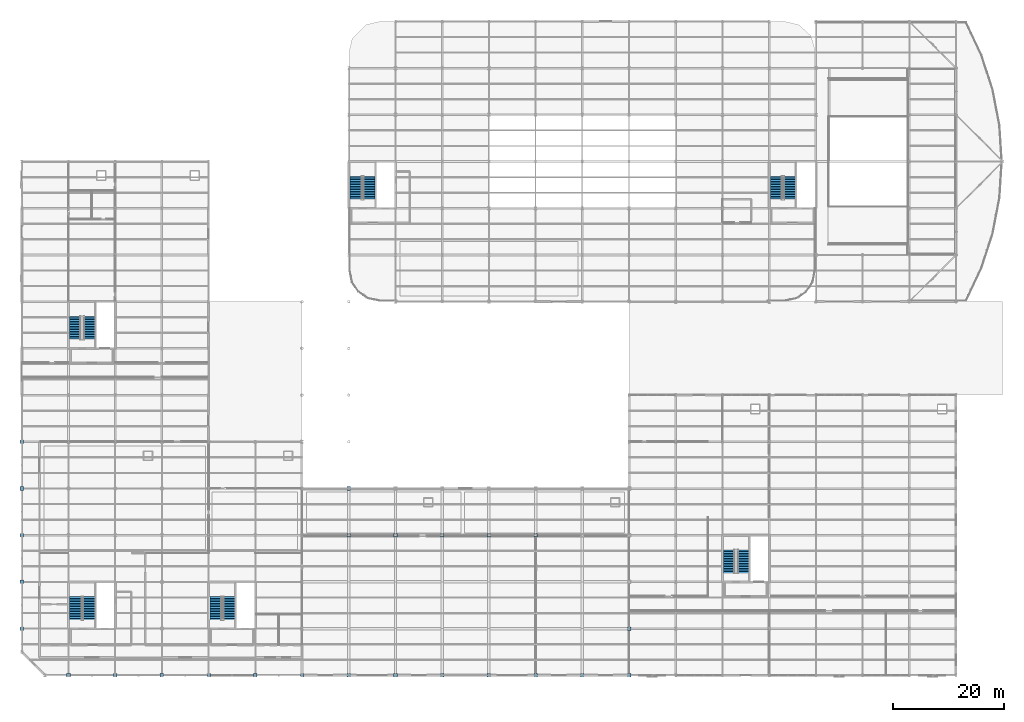
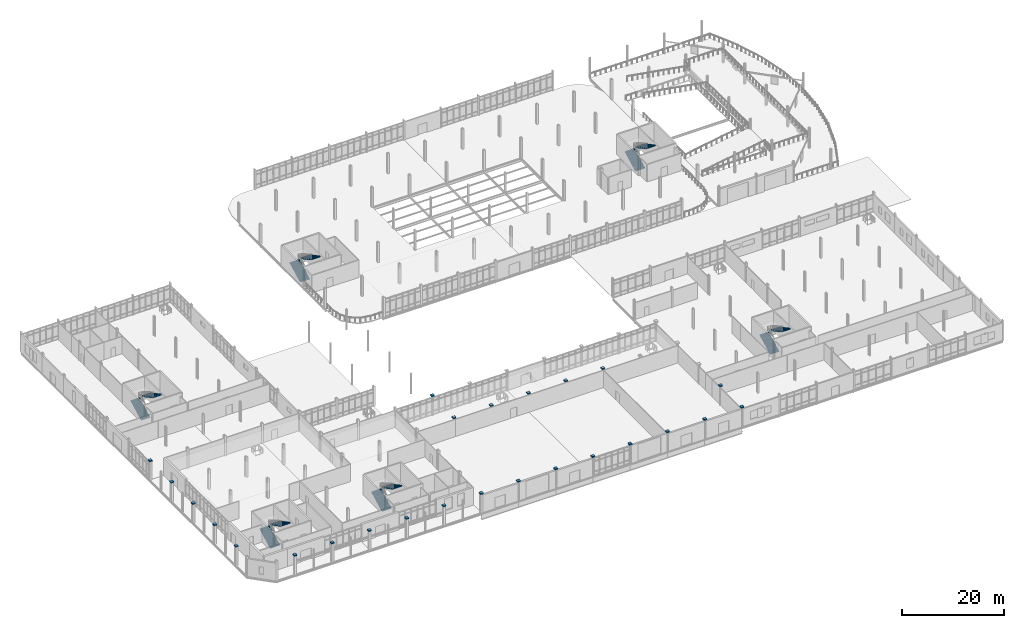
# One storey, part 131 of 145: 25 discrete accessories, 12 stair flights, 6 elements without a shape of their own.
"""IFC4 building model written with IfcOpenShell, lengths in metres."""

from ifc_helpers import new_model, si_unit, direction, frame, origin, origin_2d, place, context, subcontext, project, spatial, polyline, rectangle, outline, extrude, material, type_object, element, aggregate, save


model = new_model("IFC4")

# Units and contexts
model_context = context("Model", 3, precision=1e-05, world=origin(), true_north=direction((0.0, 1.0)))
body_context = subcontext(model_context, "Body", "Model", "MODEL_VIEW")
ifc_project = project(units=[si_unit("LENGTHUNIT", "METRE"), si_unit("AREAUNIT", "SQUARE_METRE"), si_unit("VOLUMEUNIT", "CUBIC_METRE"), si_unit("PLANEANGLEUNIT", "RADIAN"), si_unit("MASSUNIT", "GRAM", prefix="KILO")], contexts=[model_context])

# Site, building, storey
site_placement = place(None, origin())
site = spatial("IfcSite", under=ifc_project, at=site_placement, CompositionType="ELEMENT")
building_placement = place(site_placement, origin())
building = spatial("IfcBuilding", under=site, at=building_placement, Name="Qalvenar Corner Mobility Hub", CompositionType="ELEMENT")
storey_placement = place(building_placement, origin())
storey = spatial("IfcBuildingStorey", under=building, at=storey_placement, Name="L00", CompositionType="ELEMENT", Elevation=0.0)

# Stair, stair flights
ifc_material_1 = material(Name="Concrete C35/45", Category="concrete")
stair_type_1 = type_object("IfcStairType", Name="STR-200-H48", PredefinedType="TWO_QUARTER_TURN_STAIR", material=ifc_material_1)
stair_1_placement = place(storey_placement, origin())
stair_1 = element("IfcStair", 1, at=stair_1_placement, inside=storey, type_object=stair_type_1, Name="Exit Stair ST2 L00-L01", PredefinedType="TWO_QUARTER_TURN_STAIR")
stair_flight_type_1 = type_object("IfcStairFlightType", Name="SFL-200-R15", PredefinedType="STRAIGHT", material=ifc_material_1)
stair_flight_1_placement = place(storey_placement, frame((34.89501953125, 9.949951171875, 0.0), z_axis=(0.0, 0.0, 1.0), x_axis=(0.0, 1.0, 0.0)))
stair_flight_1 = element("IfcStairFlight", 2, at=stair_flight_1_placement, type_object=stair_flight_type_1, Name="ST2 flight 1", NumberOfRisers=15, NumberOfTreads=14, PredefinedType="STRAIGHT", RiserHeight=0.16, TreadLength=0.3, context=body_context, shape_type="SweptSolid", body=[
    extrude(outline(polyline([(0.0, 0.0), (0.0, 0.159912109375), (0.300048828125, 0.159912109375), (0.300048828125, 0.320068359375), (0.60009765625, 0.320068359375), (0.60009765625, 0.47998046875), (0.89990234375, 0.47998046875), (0.89990234375, 0.639892578125), (1.199951171875, 0.639892578125), (1.199951171875, 0.800048828125), (1.5, 0.800048828125), (1.5, 0.9599609375), (1.800048828125, 0.9599609375), (1.800048828125, 1.1201171875), (2.10009765625, 1.1201171875), (2.10009765625, 1.280029296875), (2.39990234375, 1.280029296875), (2.39990234375, 1.43994140625), (2.699951171875, 1.43994140625), (2.699951171875, 1.60009765625), (3.0, 1.60009765625), (3.0, 1.760009765625), (3.300048828125, 1.760009765625), (3.300048828125, 1.919921875), (3.60009765625, 1.919921875), (3.60009765625, 2.080078125), (3.89990234375, 2.080078125), (3.89990234375, 2.239990234375), (4.199951171875, 2.239990234375), (4.199951171875, 2.39990234375), (4.199951171875, 2.0361328125), (0.38232421875, 0.0), (0.0, 0.0)])), frame((0.0, 1.074951171875, 0.0), z_axis=(0.0, -1.0, 0.0), x_axis=(1.0, 0.0, 0.0)), (0.0, 0.0, 1.0), 2.14990234375),
])
stair_flight_2_placement = place(storey_placement, frame((37.284912109375, 14.14990234375, 2.39990234375), z_axis=(0.0, 0.0, 1.0), x_axis=(0.0, -1.0, 0.0)))
stair_flight_2 = element("IfcStairFlight", 3, at=stair_flight_2_placement, type_object=stair_flight_type_1, Name="ST2 flight 2", NumberOfRisers=15, NumberOfTreads=14, PredefinedType="STRAIGHT", RiserHeight=0.16, TreadLength=0.3, context=body_context, shape_type="SweptSolid", body=[
    extrude(outline(polyline([(0.0, 0.0), (0.0, 0.159912109375), (0.300048828125, 0.159912109375), (0.300048828125, 0.320068359375), (0.60009765625, 0.320068359375), (0.60009765625, 0.47998046875), (0.89990234375, 0.47998046875), (0.89990234375, 0.639892578125), (1.199951171875, 0.639892578125), (1.199951171875, 0.800048828125), (1.5, 0.800048828125), (1.5, 0.9599609375), (1.800048828125, 0.9599609375), (1.800048828125, 1.1201171875), (2.10009765625, 1.1201171875), (2.10009765625, 1.280029296875), (2.39990234375, 1.280029296875), (2.39990234375, 1.43994140625), (2.699951171875, 1.43994140625), (2.699951171875, 1.60009765625), (3.0, 1.60009765625), (3.0, 1.760009765625), (3.300048828125, 1.760009765625), (3.300048828125, 1.919921875), (3.60009765625, 1.919921875), (3.60009765625, 2.080078125), (3.89990234375, 2.080078125), (3.89990234375, 2.239990234375), (4.199951171875, 2.239990234375), (4.199951171875, 2.39990234375), (4.199951171875, 2.0361328125), (0.38232421875, 0.0), (0.0, 0.0)])), frame((0.0, 1.074951171875, 0.0), z_axis=(0.0, -1.0, 0.0), x_axis=(1.0, 0.0, 0.0)), (0.0, 0.0, 1.0), 2.14990234375),
])
aggregate(stair_1, [stair_flight_1, stair_flight_2])

stair_2_placement = place(storey_placement, origin())
stair_2 = element("IfcStair", 4, at=stair_2_placement, inside=storey, type_object=stair_type_1, Name="Exit Stair ST3 L00-L01", PredefinedType="TWO_QUARTER_TURN_STAIR")
stair_flight_3_placement = place(storey_placement, frame((60.094970703125, 85.550048828125, 0.0), z_axis=(0.0, 0.0, 1.0), x_axis=(0.0, 1.0, 0.0)))
stair_flight_3 = element("IfcStairFlight", 5, at=stair_flight_3_placement, type_object=stair_flight_type_1, Name="ST3 flight 1", NumberOfRisers=15, NumberOfTreads=14, PredefinedType="STRAIGHT", RiserHeight=0.16, TreadLength=0.3, context=body_context, shape_type="SweptSolid", body=[
    extrude(outline(polyline([(0.0, 0.0), (0.0, 0.159912109375), (0.300048828125, 0.159912109375), (0.300048828125, 0.320068359375), (0.60009765625, 0.320068359375), (0.60009765625, 0.47998046875), (0.89990234375, 0.47998046875), (0.89990234375, 0.639892578125), (1.199951171875, 0.639892578125), (1.199951171875, 0.800048828125), (1.5, 0.800048828125), (1.5, 0.9599609375), (1.800048828125, 0.9599609375), (1.800048828125, 1.1201171875), (2.10009765625, 1.1201171875), (2.10009765625, 1.280029296875), (2.39990234375, 1.280029296875), (2.39990234375, 1.43994140625), (2.699951171875, 1.43994140625), (2.699951171875, 1.60009765625), (3.0, 1.60009765625), (3.0, 1.760009765625), (3.300048828125, 1.760009765625), (3.300048828125, 1.919921875), (3.60009765625, 1.919921875), (3.60009765625, 2.080078125), (3.89990234375, 2.080078125), (3.89990234375, 2.239990234375), (4.199951171875, 2.239990234375), (4.199951171875, 2.39990234375), (4.199951171875, 2.0361328125), (0.38232421875, 0.0), (0.0, 0.0)])), frame((0.0, 1.074951171875, 0.0), z_axis=(0.0, -1.0, 0.0), x_axis=(1.0, 0.0, 0.0)), (0.0, 0.0, 1.0), 2.14990234375),
])
stair_flight_4_placement = place(storey_placement, frame((62.485107421875, 89.75, 2.39990234375), z_axis=(0.0, 0.0, 1.0), x_axis=(0.0, -1.0, 0.0)))
stair_flight_4 = element("IfcStairFlight", 6, at=stair_flight_4_placement, type_object=stair_flight_type_1, Name="ST3 flight 2", NumberOfRisers=15, NumberOfTreads=14, PredefinedType="STRAIGHT", RiserHeight=0.16, TreadLength=0.3, context=body_context, shape_type="SweptSolid", body=[
    extrude(outline(polyline([(0.0, 0.0), (0.0, 0.159912109375), (0.300048828125, 0.159912109375), (0.300048828125, 0.320068359375), (0.60009765625, 0.320068359375), (0.60009765625, 0.47998046875), (0.89990234375, 0.47998046875), (0.89990234375, 0.639892578125), (1.199951171875, 0.639892578125), (1.199951171875, 0.800048828125), (1.5, 0.800048828125), (1.5, 0.9599609375), (1.800048828125, 0.9599609375), (1.800048828125, 1.1201171875), (2.10009765625, 1.1201171875), (2.10009765625, 1.280029296875), (2.39990234375, 1.280029296875), (2.39990234375, 1.43994140625), (2.699951171875, 1.43994140625), (2.699951171875, 1.60009765625), (3.0, 1.60009765625), (3.0, 1.760009765625), (3.300048828125, 1.760009765625), (3.300048828125, 1.919921875), (3.60009765625, 1.919921875), (3.60009765625, 2.080078125), (3.89990234375, 2.080078125), (3.89990234375, 2.239990234375), (4.199951171875, 2.239990234375), (4.199951171875, 2.39990234375), (4.199951171875, 2.0361328125), (0.38232421875, 0.0), (0.0, 0.0)])), frame((0.0, 1.074951171875, 0.0), z_axis=(0.0, -1.0, 0.0), x_axis=(1.0, 0.0, 0.0)), (0.0, 0.0, 1.0), 2.14990234375),
])
aggregate(stair_2, [stair_flight_3, stair_flight_4])

stair_3_placement = place(storey_placement, origin())
stair_3 = element("IfcStair", 7, at=stair_3_placement, inside=storey, type_object=stair_type_1, Name="Exit Stair ST4 L00-L01", PredefinedType="TWO_QUARTER_TURN_STAIR")
stair_flight_5_placement = place(storey_placement, frame((135.695068359375, 85.550048828125, 0.0), z_axis=(0.0, 0.0, 1.0), x_axis=(0.0, 1.0, 0.0)))
stair_flight_5 = element("IfcStairFlight", 8, at=stair_flight_5_placement, type_object=stair_flight_type_1, Name="ST4 flight 1", NumberOfRisers=15, NumberOfTreads=14, PredefinedType="STRAIGHT", RiserHeight=0.16, TreadLength=0.3, context=body_context, shape_type="SweptSolid", body=[
    extrude(outline(polyline([(0.0, 0.0), (0.0, 0.159912109375), (0.300048828125, 0.159912109375), (0.300048828125, 0.320068359375), (0.60009765625, 0.320068359375), (0.60009765625, 0.47998046875), (0.89990234375, 0.47998046875), (0.89990234375, 0.639892578125), (1.199951171875, 0.639892578125), (1.199951171875, 0.800048828125), (1.5, 0.800048828125), (1.5, 0.9599609375), (1.800048828125, 0.9599609375), (1.800048828125, 1.1201171875), (2.10009765625, 1.1201171875), (2.10009765625, 1.280029296875), (2.39990234375, 1.280029296875), (2.39990234375, 1.43994140625), (2.699951171875, 1.43994140625), (2.699951171875, 1.60009765625), (3.0, 1.60009765625), (3.0, 1.760009765625), (3.300048828125, 1.760009765625), (3.300048828125, 1.919921875), (3.60009765625, 1.919921875), (3.60009765625, 2.080078125), (3.89990234375, 2.080078125), (3.89990234375, 2.239990234375), (4.199951171875, 2.239990234375), (4.199951171875, 2.39990234375), (4.199951171875, 2.0361328125), (0.38232421875, 0.0), (0.0, 0.0)])), frame((0.0, 1.074951171875, 0.0), z_axis=(0.0, -1.0, 0.0), x_axis=(1.0, 0.0, 0.0)), (0.0, 0.0, 1.0), 2.14990234375),
])
stair_flight_6_placement = place(storey_placement, frame((138.0849609375, 89.75, 2.39990234375), z_axis=(0.0, 0.0, 1.0), x_axis=(0.0, -1.0, 0.0)))
stair_flight_6 = element("IfcStairFlight", 9, at=stair_flight_6_placement, type_object=stair_flight_type_1, Name="ST4 flight 2", NumberOfRisers=15, NumberOfTreads=14, PredefinedType="STRAIGHT", RiserHeight=0.16, TreadLength=0.3, context=body_context, shape_type="SweptSolid", body=[
    extrude(outline(polyline([(0.0, 0.0), (0.0, 0.159912109375), (0.300048828125, 0.159912109375), (0.300048828125, 0.320068359375), (0.60009765625, 0.320068359375), (0.60009765625, 0.47998046875), (0.89990234375, 0.47998046875), (0.89990234375, 0.639892578125), (1.199951171875, 0.639892578125), (1.199951171875, 0.800048828125), (1.5, 0.800048828125), (1.5, 0.9599609375), (1.800048828125, 0.9599609375), (1.800048828125, 1.1201171875), (2.10009765625, 1.1201171875), (2.10009765625, 1.280029296875), (2.39990234375, 1.280029296875), (2.39990234375, 1.43994140625), (2.699951171875, 1.43994140625), (2.699951171875, 1.60009765625), (3.0, 1.60009765625), (3.0, 1.760009765625), (3.300048828125, 1.760009765625), (3.300048828125, 1.919921875), (3.60009765625, 1.919921875), (3.60009765625, 2.080078125), (3.89990234375, 2.080078125), (3.89990234375, 2.239990234375), (4.199951171875, 2.239990234375), (4.199951171875, 2.39990234375), (4.199951171875, 2.0361328125), (0.38232421875, 0.0), (0.0, 0.0)])), frame((0.0, 1.074951171875, 0.0), z_axis=(0.0, -1.0, 0.0), x_axis=(1.0, 0.0, 0.0)), (0.0, 0.0, 1.0), 2.14990234375),
])
aggregate(stair_3, [stair_flight_5, stair_flight_6])

stair_4_placement = place(storey_placement, origin())
stair_4 = element("IfcStair", 10, at=stair_4_placement, inside=storey, type_object=stair_type_1, Name="Exit Stair ST5 L00-L01", PredefinedType="TWO_QUARTER_TURN_STAIR")
stair_flight_7_placement = place(storey_placement, frame((9.6201171875, 60.35009765625, 0.0), z_axis=(0.0, 0.0, 1.0), x_axis=(0.0, 1.0, 0.0)))
stair_flight_7 = element("IfcStairFlight", 11, at=stair_flight_7_placement, type_object=stair_flight_type_1, Name="ST5 flight 1", NumberOfRisers=15, NumberOfTreads=14, PredefinedType="STRAIGHT", RiserHeight=0.16, TreadLength=0.3, context=body_context, shape_type="SweptSolid", body=[
    extrude(outline(polyline([(0.0, 0.0), (0.0, 0.159912109375), (0.300048828125, 0.159912109375), (0.300048828125, 0.320068359375), (0.60009765625, 0.320068359375), (0.60009765625, 0.47998046875), (0.89990234375, 0.47998046875), (0.89990234375, 0.639892578125), (1.199951171875, 0.639892578125), (1.199951171875, 0.800048828125), (1.5, 0.800048828125), (1.5, 0.9599609375), (1.800048828125, 0.9599609375), (1.800048828125, 1.1201171875), (2.10009765625, 1.1201171875), (2.10009765625, 1.280029296875), (2.39990234375, 1.280029296875), (2.39990234375, 1.43994140625), (2.699951171875, 1.43994140625), (2.699951171875, 1.60009765625), (3.0, 1.60009765625), (3.0, 1.760009765625), (3.300048828125, 1.760009765625), (3.300048828125, 1.919921875), (3.60009765625, 1.919921875), (3.60009765625, 2.080078125), (3.89990234375, 2.080078125), (3.89990234375, 2.239990234375), (4.199951171875, 2.239990234375), (4.199951171875, 2.39990234375), (4.199951171875, 2.0361328125), (0.38232421875, 0.0), (0.0, 0.0)])), frame((0.0, 1.0, 0.0), z_axis=(0.0, -1.0, 0.0), x_axis=(1.0, 0.0, 0.0)), (0.0, 0.0, 1.0), 2.0),
])
stair_flight_8_placement = place(storey_placement, frame((12.159912109375, 64.550048828125, 2.39990234375), z_axis=(0.0, 0.0, 1.0), x_axis=(0.0, -1.0, 0.0)))
stair_flight_8 = element("IfcStairFlight", 12, at=stair_flight_8_placement, type_object=stair_flight_type_1, Name="ST5 flight 2", NumberOfRisers=15, NumberOfTreads=14, PredefinedType="STRAIGHT", RiserHeight=0.16, TreadLength=0.3, context=body_context, shape_type="SweptSolid", body=[
    extrude(outline(polyline([(0.0, 0.0), (0.0, 0.159912109375), (0.300048828125, 0.159912109375), (0.300048828125, 0.320068359375), (0.60009765625, 0.320068359375), (0.60009765625, 0.47998046875), (0.89990234375, 0.47998046875), (0.89990234375, 0.639892578125), (1.199951171875, 0.639892578125), (1.199951171875, 0.800048828125), (1.5, 0.800048828125), (1.5, 0.9599609375), (1.800048828125, 0.9599609375), (1.800048828125, 1.1201171875), (2.10009765625, 1.1201171875), (2.10009765625, 1.280029296875), (2.39990234375, 1.280029296875), (2.39990234375, 1.43994140625), (2.699951171875, 1.43994140625), (2.699951171875, 1.60009765625), (3.0, 1.60009765625), (3.0, 1.760009765625), (3.300048828125, 1.760009765625), (3.300048828125, 1.919921875), (3.60009765625, 1.919921875), (3.60009765625, 2.080078125), (3.89990234375, 2.080078125), (3.89990234375, 2.239990234375), (4.199951171875, 2.239990234375), (4.199951171875, 2.39990234375), (4.199951171875, 2.0361328125), (0.38232421875, 0.0), (0.0, 0.0)])), frame((0.0, 1.0, 0.0), z_axis=(0.0, -1.0, 0.0), x_axis=(1.0, 0.0, 0.0)), (0.0, 0.0, 1.0), 2.0),
])
aggregate(stair_4, [stair_flight_7, stair_flight_8])

stair_5_placement = place(storey_placement, origin())
stair_5 = element("IfcStair", 13, at=stair_5_placement, inside=storey, type_object=stair_type_1, Name="Exit Stair ST6 L00-L01", PredefinedType="TWO_QUARTER_TURN_STAIR")
stair_flight_9_placement = place(storey_placement, frame((127.219970703125, 18.35009765625, 0.0), z_axis=(0.0, 0.0, 1.0), x_axis=(0.0, 1.0, 0.0)))
stair_flight_9 = element("IfcStairFlight", 14, at=stair_flight_9_placement, type_object=stair_flight_type_1, Name="ST6 flight 1", NumberOfRisers=15, NumberOfTreads=14, PredefinedType="STRAIGHT", RiserHeight=0.16, TreadLength=0.3, context=body_context, shape_type="SweptSolid", body=[
    extrude(outline(polyline([(0.0, 0.0), (0.0, 0.159912109375), (0.300048828125, 0.159912109375), (0.300048828125, 0.320068359375), (0.60009765625, 0.320068359375), (0.60009765625, 0.47998046875), (0.89990234375, 0.47998046875), (0.89990234375, 0.639892578125), (1.199951171875, 0.639892578125), (1.199951171875, 0.800048828125), (1.5, 0.800048828125), (1.5, 0.9599609375), (1.800048828125, 0.9599609375), (1.800048828125, 1.1201171875), (2.10009765625, 1.1201171875), (2.10009765625, 1.280029296875), (2.39990234375, 1.280029296875), (2.39990234375, 1.43994140625), (2.699951171875, 1.43994140625), (2.699951171875, 1.60009765625), (3.0, 1.60009765625), (3.0, 1.760009765625), (3.300048828125, 1.760009765625), (3.300048828125, 1.919921875), (3.60009765625, 1.919921875), (3.60009765625, 2.080078125), (3.89990234375, 2.080078125), (3.89990234375, 2.239990234375), (4.199951171875, 2.239990234375), (4.199951171875, 2.39990234375), (4.199951171875, 2.0361328125), (0.38232421875, 0.0), (0.0, 0.0)])), frame((0.0, 1.0, 0.0), z_axis=(0.0, -1.0, 0.0), x_axis=(1.0, 0.0, 0.0)), (0.0, 0.0, 1.0), 2.0),
])
stair_flight_10_placement = place(storey_placement, frame((129.760009765625, 22.550048828125, 2.39990234375), z_axis=(0.0, 0.0, 1.0), x_axis=(0.0, -1.0, 0.0)))
stair_flight_10 = element("IfcStairFlight", 15, at=stair_flight_10_placement, type_object=stair_flight_type_1, Name="ST6 flight 2", NumberOfRisers=15, NumberOfTreads=14, PredefinedType="STRAIGHT", RiserHeight=0.16, TreadLength=0.3, context=body_context, shape_type="SweptSolid", body=[
    extrude(outline(polyline([(0.0, 0.0), (0.0, 0.159912109375), (0.300048828125, 0.159912109375), (0.300048828125, 0.320068359375), (0.60009765625, 0.320068359375), (0.60009765625, 0.47998046875), (0.89990234375, 0.47998046875), (0.89990234375, 0.639892578125), (1.199951171875, 0.639892578125), (1.199951171875, 0.800048828125), (1.5, 0.800048828125), (1.5, 0.9599609375), (1.800048828125, 0.9599609375), (1.800048828125, 1.1201171875), (2.10009765625, 1.1201171875), (2.10009765625, 1.280029296875), (2.39990234375, 1.280029296875), (2.39990234375, 1.43994140625), (2.699951171875, 1.43994140625), (2.699951171875, 1.60009765625), (3.0, 1.60009765625), (3.0, 1.760009765625), (3.300048828125, 1.760009765625), (3.300048828125, 1.919921875), (3.60009765625, 1.919921875), (3.60009765625, 2.080078125), (3.89990234375, 2.080078125), (3.89990234375, 2.239990234375), (4.199951171875, 2.239990234375), (4.199951171875, 2.39990234375), (4.199951171875, 2.0361328125), (0.38232421875, 0.0), (0.0, 0.0)])), frame((0.0, 1.0, 0.0), z_axis=(0.0, -1.0, 0.0), x_axis=(1.0, 0.0, 0.0)), (0.0, 0.0, 1.0), 2.0),
])
aggregate(stair_5, [stair_flight_9, stair_flight_10])

stair_type_2 = type_object("IfcStairType", Name="STR-220-H48", PredefinedType="TWO_QUARTER_TURN_STAIR", material=ifc_material_1)
stair_6_placement = place(storey_placement, origin())
stair_6 = element("IfcStair", 16, at=stair_6_placement, inside=storey, type_object=stair_type_2, Name="Exit Stair ST1 L00-L01", PredefinedType="TWO_QUARTER_TURN_STAIR")
stair_flight_type_2 = type_object("IfcStairFlightType", Name="SFL-220-R15", PredefinedType="STRAIGHT", material=ifc_material_1)
stair_flight_11_placement = place(storey_placement, frame((9.719970703125, 9.949951171875, 0.0), z_axis=(0.0, 0.0, 1.0), x_axis=(0.0, 1.0, 0.0)))
stair_flight_11 = element("IfcStairFlight", 17, at=stair_flight_11_placement, type_object=stair_flight_type_2, Name="ST1 flight 1", NumberOfRisers=15, NumberOfTreads=14, PredefinedType="STRAIGHT", RiserHeight=0.16, TreadLength=0.3, context=body_context, shape_type="SweptSolid", body=[
    extrude(outline(polyline([(0.0, 0.0), (0.0, 0.159912109375), (0.300048828125, 0.159912109375), (0.300048828125, 0.320068359375), (0.60009765625, 0.320068359375), (0.60009765625, 0.47998046875), (0.89990234375, 0.47998046875), (0.89990234375, 0.639892578125), (1.199951171875, 0.639892578125), (1.199951171875, 0.800048828125), (1.5, 0.800048828125), (1.5, 0.9599609375), (1.800048828125, 0.9599609375), (1.800048828125, 1.1201171875), (2.10009765625, 1.1201171875), (2.10009765625, 1.280029296875), (2.39990234375, 1.280029296875), (2.39990234375, 1.43994140625), (2.699951171875, 1.43994140625), (2.699951171875, 1.60009765625), (3.0, 1.60009765625), (3.0, 1.760009765625), (3.300048828125, 1.760009765625), (3.300048828125, 1.919921875), (3.60009765625, 1.919921875), (3.60009765625, 2.080078125), (3.89990234375, 2.080078125), (3.89990234375, 2.239990234375), (4.199951171875, 2.239990234375), (4.199951171875, 2.39990234375), (4.199951171875, 2.0361328125), (0.38232421875, 0.0), (0.0, 0.0)])), frame((0.0, 1.10009765625, 0.0), z_axis=(0.0, -1.0, 0.0), x_axis=(1.0, 0.0, 0.0)), (0.0, 0.0, 1.0), 2.199951171875),
])
stair_flight_12_placement = place(storey_placement, frame((12.06005859375, 14.14990234375, 2.39990234375), z_axis=(0.0, 0.0, 1.0), x_axis=(0.0, -1.0, 0.0)))
stair_flight_12 = element("IfcStairFlight", 18, at=stair_flight_12_placement, type_object=stair_flight_type_2, Name="ST1 flight 2", NumberOfRisers=15, NumberOfTreads=14, PredefinedType="STRAIGHT", RiserHeight=0.16, TreadLength=0.3, context=body_context, shape_type="SweptSolid", body=[
    extrude(outline(polyline([(0.0, 0.0), (0.0, 0.159912109375), (0.300048828125, 0.159912109375), (0.300048828125, 0.320068359375), (0.60009765625, 0.320068359375), (0.60009765625, 0.47998046875), (0.89990234375, 0.47998046875), (0.89990234375, 0.639892578125), (1.199951171875, 0.639892578125), (1.199951171875, 0.800048828125), (1.5, 0.800048828125), (1.5, 0.9599609375), (1.800048828125, 0.9599609375), (1.800048828125, 1.1201171875), (2.10009765625, 1.1201171875), (2.10009765625, 1.280029296875), (2.39990234375, 1.280029296875), (2.39990234375, 1.43994140625), (2.699951171875, 1.43994140625), (2.699951171875, 1.60009765625), (3.0, 1.60009765625), (3.0, 1.760009765625), (3.300048828125, 1.760009765625), (3.300048828125, 1.919921875), (3.60009765625, 1.919921875), (3.60009765625, 2.080078125), (3.89990234375, 2.080078125), (3.89990234375, 2.239990234375), (4.199951171875, 2.239990234375), (4.199951171875, 2.39990234375), (4.199951171875, 2.0361328125), (0.38232421875, 0.0), (0.0, 0.0)])), frame((0.0, 1.10009765625, 0.0), z_axis=(0.0, -1.0, 0.0), x_axis=(1.0, 0.0, 0.0)), (0.0, 0.0, 1.0), 2.199951171875),
])
aggregate(stair_6, [stair_flight_11, stair_flight_12])

# Discrete accessories
ifc_material_2 = material(Name="Cast-Bronze Art Nouveau Column Capital Steel S355", Category="steel")
discrete_accessory_type = type_object("IfcDiscreteAccessoryType", Name="ACC-COL-CAP", PredefinedType="BRACKET", material=ifc_material_2)
for number, where, z_axis, x_axis, name in (
    (19, (0.0, 8.39990234375, 4.509765625), (0.0, 0.0, 1.0), (1.0, 0.0, 0.0), "Art Nouveau Column Capital G1-1"),
    (20, (0.0, 16.800048828125, 4.509765625), (0.0, 0.0, 1.0), (1.0, 0.0, 0.0), "Art Nouveau Column Capital G1-2"),
    (21, (0.0, 25.199951171875, 4.509765625), (0.0, 0.0, 1.0), (1.0, 0.0, 0.0), "Art Nouveau Column Capital G1-3"),
    (22, (0.0, 33.60009765625, 4.509765625), (0.0, 0.0, 1.0), (1.0, 0.0, 0.0), "Art Nouveau Column Capital G1-4"),
    (23, (0.0, 42.0, 4.509765625), (0.0, 0.0, 1.0), (1.0, 0.0, 0.0), "Art Nouveau Column Capital G1-5"),
    (24, (8.39990234375, 0.0, 4.509765625), (0.0, 0.0, 1.0), (1.0, 0.0, 0.0), "Art Nouveau Column Capital G2-0"),
    (25, (16.800048828125, 0.0, 4.509765625), (0.0, 0.0, 1.0), (1.0, 0.0, 0.0), "Art Nouveau Column Capital G3-0"),
    (26, (25.199951171875, 0.0, 4.509765625), (0.0, 0.0, 1.0), (1.0, 0.0, 0.0), "Art Nouveau Column Capital G4-0"),
    (27, (33.60009765625, 0.0, 4.509765625), (0.0, 0.0, 1.0), (1.0, 0.0, 0.0), "Art Nouveau Column Capital G5-0"),
    (28, (42.0, 0.0, 4.509765625), (0.0, 0.0, 1.0), (1.0, 0.0, 0.0), "Art Nouveau Column Capital G6-0"),
    (29, (50.39990234375, 0.0, 4.509765625), (0.0, 0.0, 1.0), (1.0, 0.0, 0.0), "Art Nouveau Column Capital G7-0"),
    (30, (58.800048828125, 0.0, 4.509765625), (0.0, 0.0, 1.0), (1.0, 0.0, 0.0), "Art Nouveau Column Capital G8-0"),
    (31, (58.800048828125, 25.199951171875, 4.330078125), (0.0, 0.0, 1.0), (1.0, 0.0, 0.0), "Art Nouveau Column Capital G8-3"),
    (32, (58.800048828125, 33.60009765625, 4.509765625), (0.0, 0.0, 1.0), (1.0, 0.0, 0.0), "Art Nouveau Column Capital G8-4"),
    (33, (67.199951171875, 0.0, 4.509765625), (0.0, 0.0, 1.0), (1.0, 0.0, 0.0), "Art Nouveau Column Capital G9-0"),
    (34, (67.199951171875, 25.199951171875, 4.330078125), (0.0, 0.0, 1.0), (1.0, 0.0, 0.0), "Art Nouveau Column Capital G9-3"),
    (35, (75.60009765625, 0.0, 4.509765625), (0.0, 0.0, 1.0), (1.0, 0.0, 0.0), "Art Nouveau Column Capital G10-0"),
    (36, (75.60009765625, 25.199951171875, 4.330078125), (0.0, 0.0, 1.0), (1.0, 0.0, 0.0), "Art Nouveau Column Capital G10-3"),
    (37, (84.0, 0.0, 4.509765625), (0.0, 0.0, 1.0), (1.0, 0.0, 0.0), "Art Nouveau Column Capital G11-0"),
    (38, (84.0, 25.199951171875, 4.330078125), (0.0, 0.0, 1.0), (1.0, 0.0, 0.0), "Art Nouveau Column Capital G11-3"),
    (39, (92.39990234375, 0.0, 4.509765625), (0.0, 0.0, 1.0), (1.0, 0.0, 0.0), "Art Nouveau Column Capital G12-0"),
    (40, (92.39990234375, 25.199951171875, 4.330078125), (0.0, 0.0, 1.0), (1.0, 0.0, 0.0), "Art Nouveau Column Capital G12-3"),
    (41, (100.800048828125, 0.0, 4.509765625), (0.0, 0.0, 1.0), (1.0, 0.0, 0.0), "Art Nouveau Column Capital G13-0"),
    (42, (109.199951171875, 0.0, 4.509765625), (0.0, 0.0, 1.0), (1.0, 0.0, 0.0), "Art Nouveau Column Capital G14-0"),
    (43, (109.199951171875, 8.39990234375, 4.509765625), (0.0, 0.0, 1.0), (1.0, 0.0, 0.0), "Art Nouveau Column Capital G14-1"),
):
    element("IfcDiscreteAccessory", number, at=place(storey_placement, frame(where, z_axis=z_axis, x_axis=x_axis)), inside=storey, type_object=discrete_accessory_type, Name=name, PredefinedType="BRACKET", context=body_context, shape_type="SweptSolid", body=[
        extrude(rectangle(XDim=0.639892578125, YDim=0.639892578125, at=origin_2d()), origin(), (0.0, 0.0, 1.0), 0.280029296875),
    ])

save(model, "model.ifc")
